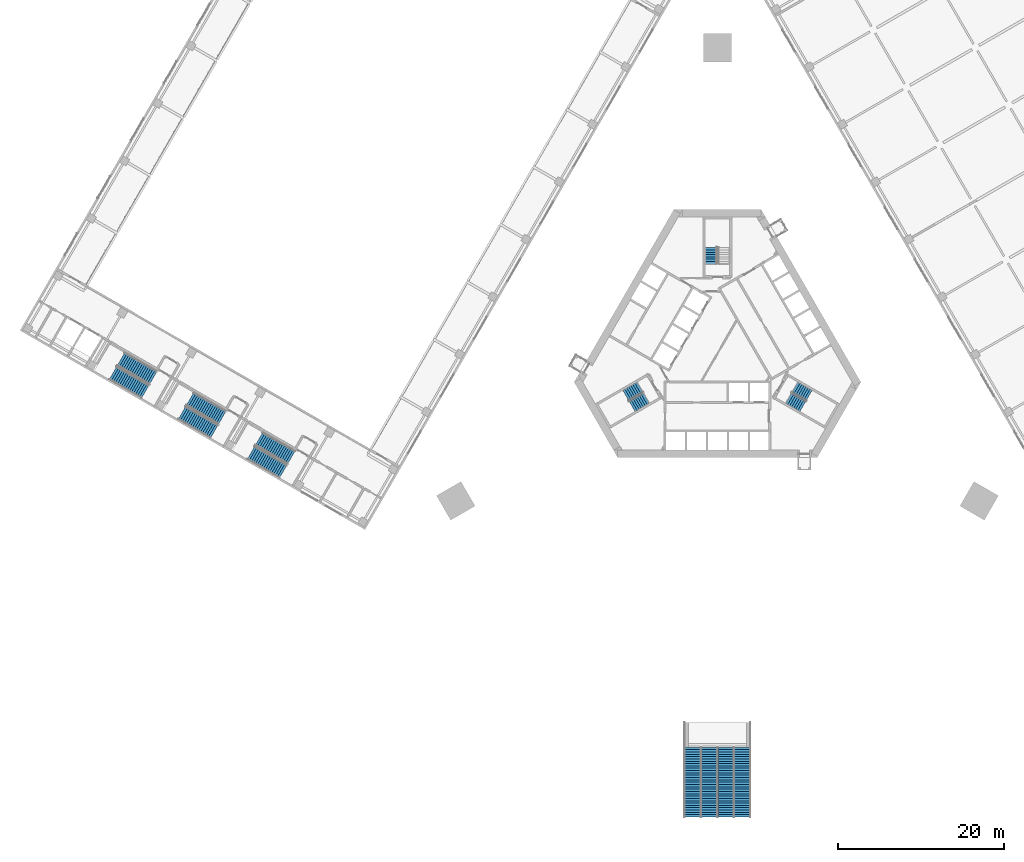
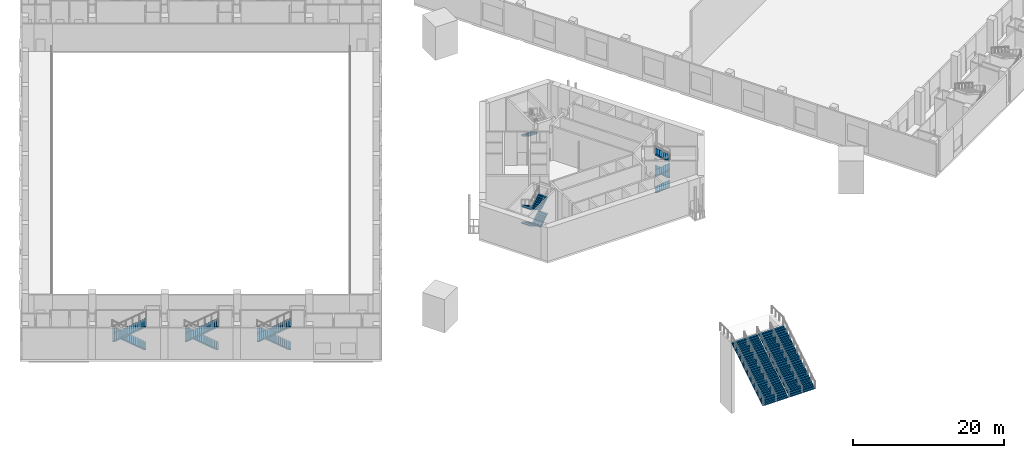
# One storey, part 23 of 35: 17 stair flights, 7 elements without a shape of their own.
"""IFC4 building model written with IfcOpenShell, lengths in metres."""

from ifc_helpers import new_model, si_unit, direction, frame, origin, place, context, subcontext, project, spatial, polyline, outline, extrude, material, type_object, element, aggregate, save


model = new_model("IFC4")

# Units and contexts
model_context = context("Model", 3, precision=1e-05, world=origin(), true_north=direction((0.0, 1.0)))
body_context = subcontext(model_context, "Body", "Model", "MODEL_VIEW")
ifc_project = project(units=[si_unit("LENGTHUNIT", "METRE"), si_unit("AREAUNIT", "SQUARE_METRE"), si_unit("VOLUMEUNIT", "CUBIC_METRE"), si_unit("PLANEANGLEUNIT", "RADIAN"), si_unit("MASSUNIT", "GRAM", prefix="KILO")], contexts=[model_context])

# Site, building, storey
site_placement = place(None, origin())
site = spatial("IfcSite", under=ifc_project, at=site_placement, CompositionType="ELEMENT")
building_placement = place(site_placement, origin())
building = spatial("IfcBuilding", under=site, at=building_placement, Name="Mestral Congress Tower", CompositionType="ELEMENT")
storey_placement = place(building_placement, frame((0.0, 0.0, 6.0)))
storey = spatial("IfcBuildingStorey", under=building, at=storey_placement, Name="L01", CompositionType="ELEMENT", Elevation=6.0)

# Stair, stair flights
ifc_material_1 = material(Name="Concrete C60/75", Category="concrete")
stair_type_1 = type_object("IfcStairType", Name="Exit stair 1400", PredefinedType="HALF_TURN_STAIR", material=ifc_material_1)
placement = place(storey_placement, origin())
stair_1 = element("IfcStair", 1, at=placement, inside=storey, type_object=stair_type_1, Name="L01 ST1", PredefinedType="HALF_TURN_STAIR")
stair_flight_type_1 = type_object("IfcStairFlightType", Name="Exit stair flight 1400", PredefinedType="STRAIGHT", material=ifc_material_1)
stair_flight_1_placement = place(storey_placement, frame((8.575927734375, -5.84619140625, 0.0), z_axis=(0.0, 0.0, 1.0), x_axis=(0.866025403784, -0.5, 0.0)))
stair_flight_1 = element("IfcStairFlight", 2, at=stair_flight_1_placement, type_object=stair_flight_type_1, Name="ST1 flight 1", NumberOfRisers=8, NumberOfTreads=7, PredefinedType="STRAIGHT", RiserHeight=0.16875, TreadLength=0.28, context=body_context, shape_type="SweptSolid", body=[
    extrude(outline(polyline([(0.0, 0.0), (0.0, 0.168701171875), (0.280029296875, 0.168701171875), (0.280029296875, 0.33740234375), (0.56005859375, 0.33740234375), (0.56005859375, 0.50634765625), (0.840087890625, 0.50634765625), (0.840087890625, 0.675048828125), (1.1201171875, 0.675048828125), (1.1201171875, 0.84375), (1.39990234375, 0.84375), (1.39990234375, 1.012451171875), (1.679931640625, 1.012451171875), (1.679931640625, 1.18115234375), (1.9599609375, 1.18115234375), (1.9599609375, 1.35009765625), (1.9599609375, 1.00634765625), (0.29052734375, 0.0), (0.0, 0.0)])), frame((0.0, 0.699951171875, 0.0), z_axis=(0.0, -1.0, 0.0), x_axis=(1.0, 0.0, 0.0)), (0.0, 0.0, 1.0), 0.700927734375),
    extrude(outline(polyline([(0.0, 0.0), (0.0, 0.168701171875), (0.280029296875, 0.168701171875), (0.280029296875, 0.33740234375), (0.56005859375, 0.33740234375), (0.56005859375, 0.50634765625), (0.840087890625, 0.50634765625), (0.840087890625, 0.675048828125), (1.1201171875, 0.675048828125), (1.1201171875, 0.84375), (1.39990234375, 0.84375), (1.39990234375, 1.012451171875), (1.679931640625, 1.012451171875), (1.679931640625, 1.18115234375), (1.9599609375, 1.18115234375), (1.9599609375, 1.35009765625), (1.9599609375, 1.00634765625), (0.29052734375, 0.0), (0.0, 0.0)])), frame((0.0, 0.0009765625, 0.0), z_axis=(0.0, -1.0, 0.0), x_axis=(1.0, 0.0, 0.0)), (0.0, 0.0, 1.0), 0.700927734375),
])
stair_flight_2_placement = place(storey_placement, frame((11.04833984375, -5.48388671875, 1.35009765625), z_axis=(0.0, 0.0, 1.0), x_axis=(-0.866025403784, 0.5, 0.0)))
stair_flight_2 = element("IfcStairFlight", 3, at=stair_flight_2_placement, type_object=stair_flight_type_1, Name="ST1 flight 2", NumberOfRisers=8, NumberOfTreads=7, PredefinedType="STRAIGHT", RiserHeight=0.16875, TreadLength=0.28, context=body_context, shape_type="SweptSolid", body=[
    extrude(outline(polyline([(0.0, 0.0), (0.0, 0.168701171875), (0.280029296875, 0.168701171875), (0.280029296875, 0.33740234375), (0.56005859375, 0.33740234375), (0.56005859375, 0.50634765625), (0.840087890625, 0.50634765625), (0.840087890625, 0.675048828125), (1.1201171875, 0.675048828125), (1.1201171875, 0.84375), (1.39990234375, 0.84375), (1.39990234375, 1.012451171875), (1.679931640625, 1.012451171875), (1.679931640625, 1.18115234375), (1.9599609375, 1.18115234375), (1.9599609375, 1.35009765625), (1.9599609375, 1.00634765625), (0.29052734375, 0.0), (0.0, 0.0)])), frame((0.0, 0.699951171875, 0.0), z_axis=(0.0, -1.0, 0.0), x_axis=(1.0, 0.0, 0.0)), (0.0, 0.0, 1.0), 0.700927734375),
    extrude(outline(polyline([(0.0, 0.0), (0.0, 0.168701171875), (0.280029296875, 0.168701171875), (0.280029296875, 0.33740234375), (0.56005859375, 0.33740234375), (0.56005859375, 0.50634765625), (0.840087890625, 0.50634765625), (0.840087890625, 0.675048828125), (1.1201171875, 0.675048828125), (1.1201171875, 0.84375), (1.39990234375, 0.84375), (1.39990234375, 1.012451171875), (1.679931640625, 1.012451171875), (1.679931640625, 1.18115234375), (1.9599609375, 1.18115234375), (1.9599609375, 1.35009765625), (1.9599609375, 1.00634765625), (0.29052734375, 0.0), (0.0, 0.0)])), frame((0.0, 0.0009765625, 0.0), z_axis=(0.0, -1.0, 0.0), x_axis=(1.0, 0.0, 0.0)), (0.0, 0.0, 1.0), 0.700927734375),
])
stair_flight_3_placement = place(storey_placement, frame((8.575927734375, -5.84619140625, 2.699951171875), z_axis=(0.0, 0.0, 1.0), x_axis=(0.866025403784, -0.5, 0.0)))
stair_flight_3 = element("IfcStairFlight", 4, at=stair_flight_3_placement, type_object=stair_flight_type_1, Name="ST1 flight 3", NumberOfRisers=8, NumberOfTreads=7, PredefinedType="STRAIGHT", RiserHeight=0.16875, TreadLength=0.28, context=body_context, shape_type="SweptSolid", body=[
    extrude(outline(polyline([(0.0, 0.0), (0.0, 0.168701171875), (0.280029296875, 0.168701171875), (0.280029296875, 0.33740234375), (0.56005859375, 0.33740234375), (0.56005859375, 0.50634765625), (0.840087890625, 0.50634765625), (0.840087890625, 0.675048828125), (1.1201171875, 0.675048828125), (1.1201171875, 0.84375), (1.39990234375, 0.84375), (1.39990234375, 1.012451171875), (1.679931640625, 1.012451171875), (1.679931640625, 1.18115234375), (1.9599609375, 1.18115234375), (1.9599609375, 1.35009765625), (1.9599609375, 1.00634765625), (0.29052734375, 0.0), (0.0, 0.0)])), frame((0.0, 0.699951171875, 0.0), z_axis=(0.0, -1.0, 0.0), x_axis=(1.0, 0.0, 0.0)), (0.0, 0.0, 1.0), 0.700927734375),
    extrude(outline(polyline([(0.0, 0.0), (0.0, 0.168701171875), (0.280029296875, 0.168701171875), (0.280029296875, 0.33740234375), (0.56005859375, 0.33740234375), (0.56005859375, 0.50634765625), (0.840087890625, 0.50634765625), (0.840087890625, 0.675048828125), (1.1201171875, 0.675048828125), (1.1201171875, 0.84375), (1.39990234375, 0.84375), (1.39990234375, 1.012451171875), (1.679931640625, 1.012451171875), (1.679931640625, 1.18115234375), (1.9599609375, 1.18115234375), (1.9599609375, 1.35009765625), (1.9599609375, 1.00634765625), (0.29052734375, 0.0), (0.0, 0.0)])), frame((0.0, 0.0009765625, 0.0), z_axis=(0.0, -1.0, 0.0), x_axis=(1.0, 0.0, 0.0)), (0.0, 0.0, 1.0), 0.700927734375),
])
stair_flight_4_placement = place(storey_placement, frame((11.04833984375, -5.48388671875, 4.050048828125), z_axis=(0.0, 0.0, 1.0), x_axis=(-0.866025403784, 0.5, 0.0)))
stair_flight_4 = element("IfcStairFlight", 5, at=stair_flight_4_placement, type_object=stair_flight_type_1, Name="ST1 flight 4", NumberOfRisers=8, NumberOfTreads=7, PredefinedType="STRAIGHT", RiserHeight=0.16875, TreadLength=0.28, context=body_context, shape_type="SweptSolid", body=[
    extrude(outline(polyline([(0.0, 0.0), (0.0, 0.168701171875), (0.280029296875, 0.168701171875), (0.280029296875, 0.33740234375), (0.56005859375, 0.33740234375), (0.56005859375, 0.50634765625), (0.840087890625, 0.50634765625), (0.840087890625, 0.675048828125), (1.1201171875, 0.675048828125), (1.1201171875, 0.84375), (1.39990234375, 0.84375), (1.39990234375, 1.012451171875), (1.679931640625, 1.012451171875), (1.679931640625, 1.18115234375), (1.9599609375, 1.18115234375), (1.9599609375, 1.35009765625), (1.9599609375, 1.00634765625), (0.29052734375, 0.0), (0.0, 0.0)])), frame((0.0, 0.699951171875, 0.0), z_axis=(0.0, -1.0, 0.0), x_axis=(1.0, 0.0, 0.0)), (0.0, 0.0, 1.0), 0.700927734375),
    extrude(outline(polyline([(0.0, 0.0), (0.0, 0.168701171875), (0.280029296875, 0.168701171875), (0.280029296875, 0.33740234375), (0.56005859375, 0.33740234375), (0.56005859375, 0.50634765625), (0.840087890625, 0.50634765625), (0.840087890625, 0.675048828125), (1.1201171875, 0.675048828125), (1.1201171875, 0.84375), (1.39990234375, 0.84375), (1.39990234375, 1.012451171875), (1.679931640625, 1.012451171875), (1.679931640625, 1.18115234375), (1.9599609375, 1.18115234375), (1.9599609375, 1.35009765625), (1.9599609375, 1.00634765625), (0.29052734375, 0.0), (0.0, 0.0)])), frame((0.0, 0.0009765625, 0.0), z_axis=(0.0, -1.0, 0.0), x_axis=(1.0, 0.0, 0.0)), (0.0, 0.0, 1.0), 0.700927734375),
])
aggregate(stair_1, [stair_flight_1, stair_flight_2, stair_flight_3, stair_flight_4])

# Stair, stair flight
stair_2 = element("IfcStair", 6, at=placement, inside=storey, type_object=stair_type_1, Name="L01 ST2", PredefinedType="HALF_TURN_STAIR")
stair_flight_5_placement = place(storey_placement, frame((-0.77490234375, 12.31005859375, 1.35009765625), z_axis=(0.0, 0.0, 1.0), x_axis=(0.0, -1.0, 0.0)))
stair_flight_5 = element("IfcStairFlight", 7, at=stair_flight_5_placement, type_object=stair_flight_type_1, Name="ST2 flight 2", NumberOfRisers=8, NumberOfTreads=7, PredefinedType="STRAIGHT", RiserHeight=0.16875, TreadLength=0.28, context=body_context, shape_type="SweptSolid", body=[
    extrude(outline(polyline([(0.0, 0.0), (0.0, 0.168701171875), (0.280029296875, 0.168701171875), (0.280029296875, 0.33740234375), (0.56005859375, 0.33740234375), (0.56005859375, 0.50634765625), (0.840087890625, 0.50634765625), (0.840087890625, 0.675048828125), (1.1201171875, 0.675048828125), (1.1201171875, 0.84375), (1.39990234375, 0.84375), (1.39990234375, 1.012451171875), (1.679931640625, 1.012451171875), (1.679931640625, 1.18115234375), (1.9599609375, 1.18115234375), (1.9599609375, 1.35009765625), (1.9599609375, 1.00634765625), (0.29052734375, 0.0), (0.0, 0.0)])), frame((0.0, 0.699951171875, 0.0), z_axis=(0.0, -1.0, 0.0), x_axis=(1.0, 0.0, 0.0)), (0.0, 0.0, 1.0), 0.700927734375),
    extrude(outline(polyline([(0.0, 0.0), (0.0, 0.168701171875), (0.280029296875, 0.168701171875), (0.280029296875, 0.33740234375), (0.56005859375, 0.33740234375), (0.56005859375, 0.50634765625), (0.840087890625, 0.50634765625), (0.840087890625, 0.675048828125), (1.1201171875, 0.675048828125), (1.1201171875, 0.84375), (1.39990234375, 0.84375), (1.39990234375, 1.012451171875), (1.679931640625, 1.012451171875), (1.679931640625, 1.18115234375), (1.9599609375, 1.18115234375), (1.9599609375, 1.35009765625), (1.9599609375, 1.00634765625), (0.29052734375, 0.0), (0.0, 0.0)])), frame((0.0, 0.0009765625, 0.0), z_axis=(0.0, -1.0, 0.0), x_axis=(1.0, 0.0, 0.0)), (0.0, 0.0, 1.0), 0.700927734375),
])
aggregate(stair_2, [stair_flight_5])

# Stair, stair flights
stair_3 = element("IfcStair", 8, at=placement, inside=storey, type_object=stair_type_1, Name="L01 ST3", PredefinedType="HALF_TURN_STAIR")
stair_flight_6_placement = place(storey_placement, frame((-9.350830078125, -4.50390625, 0.0), z_axis=(0.0, 0.0, 1.0), x_axis=(-0.866025403784, -0.5, 0.0)))
stair_flight_6 = element("IfcStairFlight", 9, at=stair_flight_6_placement, type_object=stair_flight_type_1, Name="ST3 flight 1", NumberOfRisers=8, NumberOfTreads=7, PredefinedType="STRAIGHT", RiserHeight=0.16875, TreadLength=0.28, context=body_context, shape_type="SweptSolid", body=[
    extrude(outline(polyline([(0.0, 0.0), (0.0, 0.168701171875), (0.280029296875, 0.168701171875), (0.280029296875, 0.33740234375), (0.56005859375, 0.33740234375), (0.56005859375, 0.50634765625), (0.840087890625, 0.50634765625), (0.840087890625, 0.675048828125), (1.1201171875, 0.675048828125), (1.1201171875, 0.84375), (1.39990234375, 0.84375), (1.39990234375, 1.012451171875), (1.679931640625, 1.012451171875), (1.679931640625, 1.18115234375), (1.9599609375, 1.18115234375), (1.9599609375, 1.35009765625), (1.9599609375, 1.00634765625), (0.29052734375, 0.0), (0.0, 0.0)])), frame((0.0, 0.699951171875, 0.0), z_axis=(0.0, -1.0, 0.0), x_axis=(1.0, 0.0, 0.0)), (0.0, 0.0, 1.0), 0.700927734375),
    extrude(outline(polyline([(0.0, 0.0), (0.0, 0.168701171875), (0.280029296875, 0.168701171875), (0.280029296875, 0.33740234375), (0.56005859375, 0.33740234375), (0.56005859375, 0.50634765625), (0.840087890625, 0.50634765625), (0.840087890625, 0.675048828125), (1.1201171875, 0.675048828125), (1.1201171875, 0.84375), (1.39990234375, 0.84375), (1.39990234375, 1.012451171875), (1.679931640625, 1.012451171875), (1.679931640625, 1.18115234375), (1.9599609375, 1.18115234375), (1.9599609375, 1.35009765625), (1.9599609375, 1.00634765625), (0.29052734375, 0.0), (0.0, 0.0)])), frame((0.0, 0.0009765625, 0.0), z_axis=(0.0, -1.0, 0.0), x_axis=(1.0, 0.0, 0.0)), (0.0, 0.0, 1.0), 0.700927734375),
])
stair_flight_7_placement = place(storey_placement, frame((-10.273193359375, -6.826171875, 1.35009765625), z_axis=(0.0, 0.0, 1.0), x_axis=(0.866025403784, 0.5, 0.0)))
stair_flight_7 = element("IfcStairFlight", 10, at=stair_flight_7_placement, type_object=stair_flight_type_1, Name="ST3 flight 2", NumberOfRisers=8, NumberOfTreads=7, PredefinedType="STRAIGHT", RiserHeight=0.16875, TreadLength=0.28, context=body_context, shape_type="SweptSolid", body=[
    extrude(outline(polyline([(0.0, 0.0), (0.0, 0.168701171875), (0.280029296875, 0.168701171875), (0.280029296875, 0.33740234375), (0.56005859375, 0.33740234375), (0.56005859375, 0.50634765625), (0.840087890625, 0.50634765625), (0.840087890625, 0.675048828125), (1.1201171875, 0.675048828125), (1.1201171875, 0.84375), (1.39990234375, 0.84375), (1.39990234375, 1.012451171875), (1.679931640625, 1.012451171875), (1.679931640625, 1.18115234375), (1.9599609375, 1.18115234375), (1.9599609375, 1.35009765625), (1.9599609375, 1.00634765625), (0.29052734375, 0.0), (0.0, 0.0)])), frame((0.0, 0.699951171875, 0.0), z_axis=(0.0, -1.0, 0.0), x_axis=(1.0, 0.0, 0.0)), (0.0, 0.0, 1.0), 0.700927734375),
    extrude(outline(polyline([(0.0, 0.0), (0.0, 0.168701171875), (0.280029296875, 0.168701171875), (0.280029296875, 0.33740234375), (0.56005859375, 0.33740234375), (0.56005859375, 0.50634765625), (0.840087890625, 0.50634765625), (0.840087890625, 0.675048828125), (1.1201171875, 0.675048828125), (1.1201171875, 0.84375), (1.39990234375, 0.84375), (1.39990234375, 1.012451171875), (1.679931640625, 1.012451171875), (1.679931640625, 1.18115234375), (1.9599609375, 1.18115234375), (1.9599609375, 1.35009765625), (1.9599609375, 1.00634765625), (0.29052734375, 0.0), (0.0, 0.0)])), frame((0.0, 0.0009765625, 0.0), z_axis=(0.0, -1.0, 0.0), x_axis=(1.0, 0.0, 0.0)), (0.0, 0.0, 1.0), 0.700927734375),
])
stair_flight_8_placement = place(storey_placement, frame((-9.350830078125, -4.50390625, 2.699951171875), z_axis=(0.0, 0.0, 1.0), x_axis=(-0.866025403784, -0.5, 0.0)))
stair_flight_8 = element("IfcStairFlight", 11, at=stair_flight_8_placement, type_object=stair_flight_type_1, Name="ST3 flight 3", NumberOfRisers=8, NumberOfTreads=7, PredefinedType="STRAIGHT", RiserHeight=0.16875, TreadLength=0.28, context=body_context, shape_type="SweptSolid", body=[
    extrude(outline(polyline([(0.0, 0.0), (0.0, 0.168701171875), (0.280029296875, 0.168701171875), (0.280029296875, 0.33740234375), (0.56005859375, 0.33740234375), (0.56005859375, 0.50634765625), (0.840087890625, 0.50634765625), (0.840087890625, 0.675048828125), (1.1201171875, 0.675048828125), (1.1201171875, 0.84375), (1.39990234375, 0.84375), (1.39990234375, 1.012451171875), (1.679931640625, 1.012451171875), (1.679931640625, 1.18115234375), (1.9599609375, 1.18115234375), (1.9599609375, 1.35009765625), (1.9599609375, 1.00634765625), (0.29052734375, 0.0), (0.0, 0.0)])), frame((0.0, 0.699951171875, 0.0), z_axis=(0.0, -1.0, 0.0), x_axis=(1.0, 0.0, 0.0)), (0.0, 0.0, 1.0), 0.700927734375),
    extrude(outline(polyline([(0.0, 0.0), (0.0, 0.168701171875), (0.280029296875, 0.168701171875), (0.280029296875, 0.33740234375), (0.56005859375, 0.33740234375), (0.56005859375, 0.50634765625), (0.840087890625, 0.50634765625), (0.840087890625, 0.675048828125), (1.1201171875, 0.675048828125), (1.1201171875, 0.84375), (1.39990234375, 0.84375), (1.39990234375, 1.012451171875), (1.679931640625, 1.012451171875), (1.679931640625, 1.18115234375), (1.9599609375, 1.18115234375), (1.9599609375, 1.35009765625), (1.9599609375, 1.00634765625), (0.29052734375, 0.0), (0.0, 0.0)])), frame((0.0, 0.0009765625, 0.0), z_axis=(0.0, -1.0, 0.0), x_axis=(1.0, 0.0, 0.0)), (0.0, 0.0, 1.0), 0.700927734375),
])
stair_flight_9_placement = place(storey_placement, frame((-10.273193359375, -6.826171875, 4.050048828125), z_axis=(0.0, 0.0, 1.0), x_axis=(0.866025403784, 0.5, 0.0)))
stair_flight_9 = element("IfcStairFlight", 12, at=stair_flight_9_placement, type_object=stair_flight_type_1, Name="ST3 flight 4", NumberOfRisers=8, NumberOfTreads=7, PredefinedType="STRAIGHT", RiserHeight=0.16875, TreadLength=0.28, context=body_context, shape_type="SweptSolid", body=[
    extrude(outline(polyline([(0.0, 0.0), (0.0, 0.168701171875), (0.280029296875, 0.168701171875), (0.280029296875, 0.33740234375), (0.56005859375, 0.33740234375), (0.56005859375, 0.50634765625), (0.840087890625, 0.50634765625), (0.840087890625, 0.675048828125), (1.1201171875, 0.675048828125), (1.1201171875, 0.84375), (1.39990234375, 0.84375), (1.39990234375, 1.012451171875), (1.679931640625, 1.012451171875), (1.679931640625, 1.18115234375), (1.9599609375, 1.18115234375), (1.9599609375, 1.35009765625), (1.9599609375, 1.00634765625), (0.29052734375, 0.0), (0.0, 0.0)])), frame((0.0, 0.699951171875, 0.0), z_axis=(0.0, -1.0, 0.0), x_axis=(1.0, 0.0, 0.0)), (0.0, 0.0, 1.0), 0.700927734375),
    extrude(outline(polyline([(0.0, 0.0), (0.0, 0.168701171875), (0.280029296875, 0.168701171875), (0.280029296875, 0.33740234375), (0.56005859375, 0.33740234375), (0.56005859375, 0.50634765625), (0.840087890625, 0.50634765625), (0.840087890625, 0.675048828125), (1.1201171875, 0.675048828125), (1.1201171875, 0.84375), (1.39990234375, 0.84375), (1.39990234375, 1.012451171875), (1.679931640625, 1.012451171875), (1.679931640625, 1.18115234375), (1.9599609375, 1.18115234375), (1.9599609375, 1.35009765625), (1.9599609375, 1.00634765625), (0.29052734375, 0.0), (0.0, 0.0)])), frame((0.0, 0.0009765625, 0.0), z_axis=(0.0, -1.0, 0.0), x_axis=(1.0, 0.0, 0.0)), (0.0, 0.0, 1.0), 0.700927734375),
])
aggregate(stair_3, [stair_flight_6, stair_flight_7, stair_flight_8, stair_flight_9])

ifc_material_2 = material(Name="Precast concrete C40/50", Category="concrete")
stair_type_2 = type_object("IfcStairType", Name="Podium broad stair 8000", PredefinedType="STRAIGHT_RUN_STAIR", material=ifc_material_2)
stair_4 = element("IfcStair", 13, at=placement, inside=storey, type_object=stair_type_2, Name="Broad stairs L01", PredefinedType="STRAIGHT_RUN_STAIR")
stair_flight_type_2 = type_object("IfcStairFlightType", Name="Podium broad stair flight 3900", PredefinedType="STRAIGHT", material=ifc_material_2)
stair_flight_10_placement = place(storey_placement, frame((-2.050048828125, -56.2880859375, 0.0), z_axis=(0.0, 0.0, 1.0), x_axis=(0.0, 1.0, 0.0)))
stair_flight_10 = element("IfcStairFlight", 14, at=stair_flight_10_placement, type_object=stair_flight_type_2, Name="BST-L01 flight 1", NumberOfRisers=31, NumberOfTreads=30, PredefinedType="STRAIGHT", RiserHeight=0.174194, TreadLength=0.28, context=body_context, shape_type="SweptSolid", body=[
    extrude(outline(polyline([(0.0, 0.0), (0.0, 0.174072265625), (0.280029296875, 0.174072265625), (0.280029296875, 0.348388671875), (0.56005859375, 0.348388671875), (0.56005859375, 0.5224609375), (0.840087890625, 0.5224609375), (0.840087890625, 0.69677734375), (1.1201171875, 0.69677734375), (1.1201171875, 0.870849609375), (1.39990234375, 0.870849609375), (1.39990234375, 1.045166015625), (1.679931640625, 1.045166015625), (1.679931640625, 1.21923828125), (1.9599609375, 1.21923828125), (1.9599609375, 1.3935546875), (2.239990234375, 1.3935546875), (2.239990234375, 1.567626953125), (2.52001953125, 1.567626953125), (2.52001953125, 1.741943359375), (2.800048828125, 1.741943359375), (2.800048828125, 1.916015625), (3.080078125, 1.916015625), (3.080078125, 2.09033203125), (3.360107421875, 2.09033203125), (3.360107421875, 2.264404296875), (3.639892578125, 2.264404296875), (3.639892578125, 2.438720703125), (3.919921875, 2.438720703125), (3.919921875, 2.61279296875), (4.199951171875, 2.61279296875), (4.199951171875, 2.787109375), (4.47998046875, 2.787109375), (4.47998046875, 2.961181640625), (4.760009765625, 2.961181640625), (4.760009765625, 3.135498046875), (5.0400390625, 3.135498046875), (5.0400390625, 3.3095703125), (5.320068359375, 3.3095703125), (5.320068359375, 3.48388671875), (5.60009765625, 3.48388671875), (5.60009765625, 3.657958984375), (5.8798828125, 3.657958984375), (5.8798828125, 3.832275390625), (6.159912109375, 3.832275390625), (6.159912109375, 4.00634765625), (6.43994140625, 4.00634765625), (6.43994140625, 4.1806640625), (6.719970703125, 4.1806640625), (6.719970703125, 4.354736328125), (7.0, 4.354736328125), (7.0, 4.529052734375), (7.280029296875, 4.529052734375), (7.280029296875, 4.703125), (7.56005859375, 4.703125), (7.56005859375, 4.87744140625), (7.840087890625, 4.87744140625), (7.840087890625, 5.051513671875), (8.1201171875, 5.051513671875), (8.1201171875, 5.225830078125), (8.39990234375, 5.225830078125), (8.39990234375, 5.39990234375), (8.39990234375, 5.04931640625), (0.28369140625, 0.0), (0.0, 0.0)])), frame((0.0, 1.949951171875, 0.0), z_axis=(0.0, -1.0, 0.0), x_axis=(1.0, 0.0, 0.0)), (0.0, 0.0, 1.0), 3.89990234375),
])
stair_flight_11_placement = place(storey_placement, frame((2.050048828125, -56.2880859375, 0.0), z_axis=(0.0, 0.0, 1.0), x_axis=(0.0, 1.0, 0.0)))
stair_flight_11 = element("IfcStairFlight", 15, at=stair_flight_11_placement, type_object=stair_flight_type_2, Name="BST-L01 flight 2", NumberOfRisers=31, NumberOfTreads=30, PredefinedType="STRAIGHT", RiserHeight=0.174194, TreadLength=0.28, context=body_context, shape_type="SweptSolid", body=[
    extrude(outline(polyline([(0.0, 0.0), (0.0, 0.174072265625), (0.280029296875, 0.174072265625), (0.280029296875, 0.348388671875), (0.56005859375, 0.348388671875), (0.56005859375, 0.5224609375), (0.840087890625, 0.5224609375), (0.840087890625, 0.69677734375), (1.1201171875, 0.69677734375), (1.1201171875, 0.870849609375), (1.39990234375, 0.870849609375), (1.39990234375, 1.045166015625), (1.679931640625, 1.045166015625), (1.679931640625, 1.21923828125), (1.9599609375, 1.21923828125), (1.9599609375, 1.3935546875), (2.239990234375, 1.3935546875), (2.239990234375, 1.567626953125), (2.52001953125, 1.567626953125), (2.52001953125, 1.741943359375), (2.800048828125, 1.741943359375), (2.800048828125, 1.916015625), (3.080078125, 1.916015625), (3.080078125, 2.09033203125), (3.360107421875, 2.09033203125), (3.360107421875, 2.264404296875), (3.639892578125, 2.264404296875), (3.639892578125, 2.438720703125), (3.919921875, 2.438720703125), (3.919921875, 2.61279296875), (4.199951171875, 2.61279296875), (4.199951171875, 2.787109375), (4.47998046875, 2.787109375), (4.47998046875, 2.961181640625), (4.760009765625, 2.961181640625), (4.760009765625, 3.135498046875), (5.0400390625, 3.135498046875), (5.0400390625, 3.3095703125), (5.320068359375, 3.3095703125), (5.320068359375, 3.48388671875), (5.60009765625, 3.48388671875), (5.60009765625, 3.657958984375), (5.8798828125, 3.657958984375), (5.8798828125, 3.832275390625), (6.159912109375, 3.832275390625), (6.159912109375, 4.00634765625), (6.43994140625, 4.00634765625), (6.43994140625, 4.1806640625), (6.719970703125, 4.1806640625), (6.719970703125, 4.354736328125), (7.0, 4.354736328125), (7.0, 4.529052734375), (7.280029296875, 4.529052734375), (7.280029296875, 4.703125), (7.56005859375, 4.703125), (7.56005859375, 4.87744140625), (7.840087890625, 4.87744140625), (7.840087890625, 5.051513671875), (8.1201171875, 5.051513671875), (8.1201171875, 5.225830078125), (8.39990234375, 5.225830078125), (8.39990234375, 5.39990234375), (8.39990234375, 5.04931640625), (0.28369140625, 0.0), (0.0, 0.0)])), frame((0.0, 1.949951171875, 0.0), z_axis=(0.0, -1.0, 0.0), x_axis=(1.0, 0.0, 0.0)), (0.0, 0.0, 1.0), 3.89990234375),
])
aggregate(stair_4, [stair_flight_10, stair_flight_11])

ifc_material_3 = material(Name="Concrete C40/50", Category="concrete")
stair_type_3 = type_object("IfcStairType", Name="Podium exit stair 1800", PredefinedType="HALF_TURN_STAIR", material=ifc_material_3)
stair_5 = element("IfcStair", 16, at=placement, inside=storey, type_object=stair_type_3, Name="L01 Exit stair W4", PredefinedType="HALF_TURN_STAIR")
stair_flight_type_3 = type_object("IfcStairFlightType", Name="Podium exit stair flight 1800", PredefinedType="STRAIGHT", material=ifc_material_3)
stair_flight_12_placement = place(storey_placement, frame((-51.33984375, -12.96728515625, 0.0), z_axis=(0.0, 0.0, 1.0), x_axis=(-0.866025403784, 0.5, 0.0)))
stair_flight_12 = element("IfcStairFlight", 17, at=stair_flight_12_placement, type_object=stair_flight_type_3, Name="PS-W4 flight 1", NumberOfRisers=17, NumberOfTreads=16, PredefinedType="STRAIGHT", RiserHeight=0.158823529, TreadLength=0.28, context=body_context, shape_type="SweptSolid", body=[
    extrude(outline(polyline([(0.0, 0.0), (0.0, 0.158935546875), (0.280029296875, 0.158935546875), (0.280029296875, 0.317626953125), (0.56005859375, 0.317626953125), (0.56005859375, 0.4765625), (0.840087890625, 0.4765625), (0.840087890625, 0.63525390625), (1.1201171875, 0.63525390625), (1.1201171875, 0.794189453125), (1.39990234375, 0.794189453125), (1.39990234375, 0.952880859375), (1.679931640625, 0.952880859375), (1.679931640625, 1.11181640625), (1.9599609375, 1.11181640625), (1.9599609375, 1.2705078125), (2.239990234375, 1.2705078125), (2.239990234375, 1.429443359375), (2.52001953125, 1.429443359375), (2.52001953125, 1.588134765625), (2.800048828125, 1.588134765625), (2.800048828125, 1.7470703125), (3.080078125, 1.7470703125), (3.080078125, 1.90576171875), (3.360107421875, 1.90576171875), (3.360107421875, 2.064697265625), (3.639892578125, 2.064697265625), (3.639892578125, 2.2236328125), (3.919921875, 2.2236328125), (3.919921875, 2.38232421875), (4.199951171875, 2.38232421875), (4.199951171875, 2.541259765625), (4.47998046875, 2.541259765625), (4.47998046875, 2.699951171875), (4.47998046875, 2.368896484375), (0.3037109375, 0.0), (0.0, 0.0)])), frame((0.0, 0.89990234375, 0.0), z_axis=(0.0, -1.0, 0.0), x_axis=(1.0, 0.0, 0.0)), (0.0, 0.0, 1.0), 1.800048828125),
])
stair_flight_13_placement = place(storey_placement, frame((-56.19482421875, -12.416015625, 2.699951171875), z_axis=(0.0, 0.0, 1.0), x_axis=(0.866025403784, -0.5, 0.0)))
stair_flight_13 = element("IfcStairFlight", 18, at=stair_flight_13_placement, type_object=stair_flight_type_3, Name="PS-W4 flight 2", NumberOfRisers=17, NumberOfTreads=16, PredefinedType="STRAIGHT", RiserHeight=0.158823529, TreadLength=0.28, context=body_context, shape_type="SweptSolid", body=[
    extrude(outline(polyline([(0.0, 0.0), (0.0, 0.158935546875), (0.280029296875, 0.158935546875), (0.280029296875, 0.317626953125), (0.56005859375, 0.317626953125), (0.56005859375, 0.4765625), (0.840087890625, 0.4765625), (0.840087890625, 0.63525390625), (1.1201171875, 0.63525390625), (1.1201171875, 0.794189453125), (1.39990234375, 0.794189453125), (1.39990234375, 0.952880859375), (1.679931640625, 0.952880859375), (1.679931640625, 1.11181640625), (1.9599609375, 1.11181640625), (1.9599609375, 1.2705078125), (2.239990234375, 1.2705078125), (2.239990234375, 1.429443359375), (2.52001953125, 1.429443359375), (2.52001953125, 1.588134765625), (2.800048828125, 1.588134765625), (2.800048828125, 1.7470703125), (3.080078125, 1.7470703125), (3.080078125, 1.90576171875), (3.360107421875, 1.90576171875), (3.360107421875, 2.064697265625), (3.639892578125, 2.064697265625), (3.639892578125, 2.2236328125), (3.919921875, 2.2236328125), (3.919921875, 2.38232421875), (4.199951171875, 2.38232421875), (4.199951171875, 2.541259765625), (4.47998046875, 2.541259765625), (4.47998046875, 2.699951171875), (4.47998046875, 2.368896484375), (0.3037109375, 0.0), (0.0, 0.0)])), frame((0.0, 0.89990234375, 0.0), z_axis=(0.0, -1.0, 0.0), x_axis=(1.0, 0.0, 0.0)), (0.0, 0.0, 1.0), 1.800048828125),
])
aggregate(stair_5, [stair_flight_12, stair_flight_13])

stair_6 = element("IfcStair", 19, at=placement, inside=storey, type_object=stair_type_3, Name="L01 Exit stair W5", PredefinedType="HALF_TURN_STAIR")
stair_flight_14_placement = place(storey_placement, frame((-59.65380859375, -8.167236328125, 0.0), z_axis=(0.0, 0.0, 1.0), x_axis=(-0.866025403784, 0.5, 0.0)))
stair_flight_14 = element("IfcStairFlight", 20, at=stair_flight_14_placement, type_object=stair_flight_type_3, Name="PS-W5 flight 1", NumberOfRisers=17, NumberOfTreads=16, PredefinedType="STRAIGHT", RiserHeight=0.158823529, TreadLength=0.28, context=body_context, shape_type="SweptSolid", body=[
    extrude(outline(polyline([(0.0, 0.0), (0.0, 0.158935546875), (0.280029296875, 0.158935546875), (0.280029296875, 0.317626953125), (0.56005859375, 0.317626953125), (0.56005859375, 0.4765625), (0.840087890625, 0.4765625), (0.840087890625, 0.63525390625), (1.1201171875, 0.63525390625), (1.1201171875, 0.794189453125), (1.39990234375, 0.794189453125), (1.39990234375, 0.952880859375), (1.679931640625, 0.952880859375), (1.679931640625, 1.11181640625), (1.9599609375, 1.11181640625), (1.9599609375, 1.2705078125), (2.239990234375, 1.2705078125), (2.239990234375, 1.429443359375), (2.52001953125, 1.429443359375), (2.52001953125, 1.588134765625), (2.800048828125, 1.588134765625), (2.800048828125, 1.7470703125), (3.080078125, 1.7470703125), (3.080078125, 1.90576171875), (3.360107421875, 1.90576171875), (3.360107421875, 2.064697265625), (3.639892578125, 2.064697265625), (3.639892578125, 2.2236328125), (3.919921875, 2.2236328125), (3.919921875, 2.38232421875), (4.199951171875, 2.38232421875), (4.199951171875, 2.541259765625), (4.47998046875, 2.541259765625), (4.47998046875, 2.699951171875), (4.47998046875, 2.368896484375), (0.3037109375, 0.0), (0.0, 0.0)])), frame((0.0, 0.89990234375, 0.0), z_axis=(0.0, -1.0, 0.0), x_axis=(1.0, 0.0, 0.0)), (0.0, 0.0, 1.0), 1.800048828125),
])
stair_flight_15_placement = place(storey_placement, frame((-64.508544921875, -7.615966796875, 2.699951171875), z_axis=(0.0, 0.0, 1.0), x_axis=(0.866025403784, -0.5, 0.0)))
stair_flight_15 = element("IfcStairFlight", 21, at=stair_flight_15_placement, type_object=stair_flight_type_3, Name="PS-W5 flight 2", NumberOfRisers=17, NumberOfTreads=16, PredefinedType="STRAIGHT", RiserHeight=0.158823529, TreadLength=0.28, context=body_context, shape_type="SweptSolid", body=[
    extrude(outline(polyline([(0.0, 0.0), (0.0, 0.158935546875), (0.280029296875, 0.158935546875), (0.280029296875, 0.317626953125), (0.56005859375, 0.317626953125), (0.56005859375, 0.4765625), (0.840087890625, 0.4765625), (0.840087890625, 0.63525390625), (1.1201171875, 0.63525390625), (1.1201171875, 0.794189453125), (1.39990234375, 0.794189453125), (1.39990234375, 0.952880859375), (1.679931640625, 0.952880859375), (1.679931640625, 1.11181640625), (1.9599609375, 1.11181640625), (1.9599609375, 1.2705078125), (2.239990234375, 1.2705078125), (2.239990234375, 1.429443359375), (2.52001953125, 1.429443359375), (2.52001953125, 1.588134765625), (2.800048828125, 1.588134765625), (2.800048828125, 1.7470703125), (3.080078125, 1.7470703125), (3.080078125, 1.90576171875), (3.360107421875, 1.90576171875), (3.360107421875, 2.064697265625), (3.639892578125, 2.064697265625), (3.639892578125, 2.2236328125), (3.919921875, 2.2236328125), (3.919921875, 2.38232421875), (4.199951171875, 2.38232421875), (4.199951171875, 2.541259765625), (4.47998046875, 2.541259765625), (4.47998046875, 2.699951171875), (4.47998046875, 2.368896484375), (0.3037109375, 0.0), (0.0, 0.0)])), frame((0.0, 0.89990234375, 0.0), z_axis=(0.0, -1.0, 0.0), x_axis=(1.0, 0.0, 0.0)), (0.0, 0.0, 1.0), 1.800048828125),
])
aggregate(stair_6, [stair_flight_14, stair_flight_15])

stair_7 = element("IfcStair", 22, at=placement, inside=storey, type_object=stair_type_3, Name="L01 Exit stair W6", PredefinedType="HALF_TURN_STAIR")
stair_flight_16_placement = place(storey_placement, frame((-67.967529296875, -3.367431640625, 0.0), z_axis=(0.0, 0.0, 1.0), x_axis=(-0.866025403784, 0.5, 0.0)))
stair_flight_16 = element("IfcStairFlight", 23, at=stair_flight_16_placement, type_object=stair_flight_type_3, Name="PS-W6 flight 1", NumberOfRisers=17, NumberOfTreads=16, PredefinedType="STRAIGHT", RiserHeight=0.158823529, TreadLength=0.28, context=body_context, shape_type="SweptSolid", body=[
    extrude(outline(polyline([(0.0, 0.0), (0.0, 0.158935546875), (0.280029296875, 0.158935546875), (0.280029296875, 0.317626953125), (0.56005859375, 0.317626953125), (0.56005859375, 0.4765625), (0.840087890625, 0.4765625), (0.840087890625, 0.63525390625), (1.1201171875, 0.63525390625), (1.1201171875, 0.794189453125), (1.39990234375, 0.794189453125), (1.39990234375, 0.952880859375), (1.679931640625, 0.952880859375), (1.679931640625, 1.11181640625), (1.9599609375, 1.11181640625), (1.9599609375, 1.2705078125), (2.239990234375, 1.2705078125), (2.239990234375, 1.429443359375), (2.52001953125, 1.429443359375), (2.52001953125, 1.588134765625), (2.800048828125, 1.588134765625), (2.800048828125, 1.7470703125), (3.080078125, 1.7470703125), (3.080078125, 1.90576171875), (3.360107421875, 1.90576171875), (3.360107421875, 2.064697265625), (3.639892578125, 2.064697265625), (3.639892578125, 2.2236328125), (3.919921875, 2.2236328125), (3.919921875, 2.38232421875), (4.199951171875, 2.38232421875), (4.199951171875, 2.541259765625), (4.47998046875, 2.541259765625), (4.47998046875, 2.699951171875), (4.47998046875, 2.368896484375), (0.3037109375, 0.0), (0.0, 0.0)])), frame((0.0, 0.89990234375, 0.0), z_axis=(0.0, -1.0, 0.0), x_axis=(1.0, 0.0, 0.0)), (0.0, 0.0, 1.0), 1.800048828125),
])
stair_flight_17_placement = place(storey_placement, frame((-72.822265625, -2.816162109375, 2.699951171875), z_axis=(0.0, 0.0, 1.0), x_axis=(0.866025403784, -0.5, 0.0)))
stair_flight_17 = element("IfcStairFlight", 24, at=stair_flight_17_placement, type_object=stair_flight_type_3, Name="PS-W6 flight 2", NumberOfRisers=17, NumberOfTreads=16, PredefinedType="STRAIGHT", RiserHeight=0.158823529, TreadLength=0.28, context=body_context, shape_type="SweptSolid", body=[
    extrude(outline(polyline([(0.0, 0.0), (0.0, 0.158935546875), (0.280029296875, 0.158935546875), (0.280029296875, 0.317626953125), (0.56005859375, 0.317626953125), (0.56005859375, 0.4765625), (0.840087890625, 0.4765625), (0.840087890625, 0.63525390625), (1.1201171875, 0.63525390625), (1.1201171875, 0.794189453125), (1.39990234375, 0.794189453125), (1.39990234375, 0.952880859375), (1.679931640625, 0.952880859375), (1.679931640625, 1.11181640625), (1.9599609375, 1.11181640625), (1.9599609375, 1.2705078125), (2.239990234375, 1.2705078125), (2.239990234375, 1.429443359375), (2.52001953125, 1.429443359375), (2.52001953125, 1.588134765625), (2.800048828125, 1.588134765625), (2.800048828125, 1.7470703125), (3.080078125, 1.7470703125), (3.080078125, 1.90576171875), (3.360107421875, 1.90576171875), (3.360107421875, 2.064697265625), (3.639892578125, 2.064697265625), (3.639892578125, 2.2236328125), (3.919921875, 2.2236328125), (3.919921875, 2.38232421875), (4.199951171875, 2.38232421875), (4.199951171875, 2.541259765625), (4.47998046875, 2.541259765625), (4.47998046875, 2.699951171875), (4.47998046875, 2.368896484375), (0.3037109375, 0.0), (0.0, 0.0)])), frame((0.0, 0.89990234375, 0.0), z_axis=(0.0, -1.0, 0.0), x_axis=(1.0, 0.0, 0.0)), (0.0, 0.0, 1.0), 1.800048828125),
])
aggregate(stair_7, [stair_flight_16, stair_flight_17])

save(model, "model.ifc")
